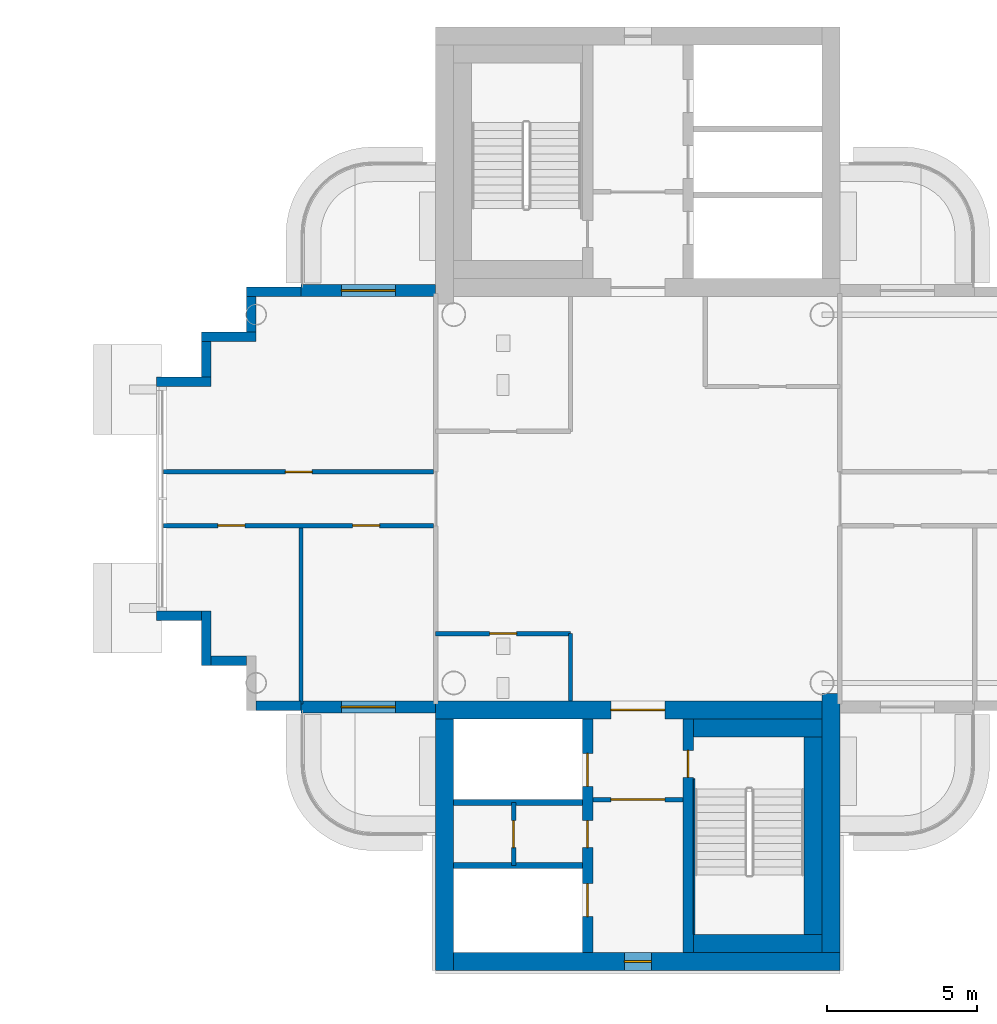
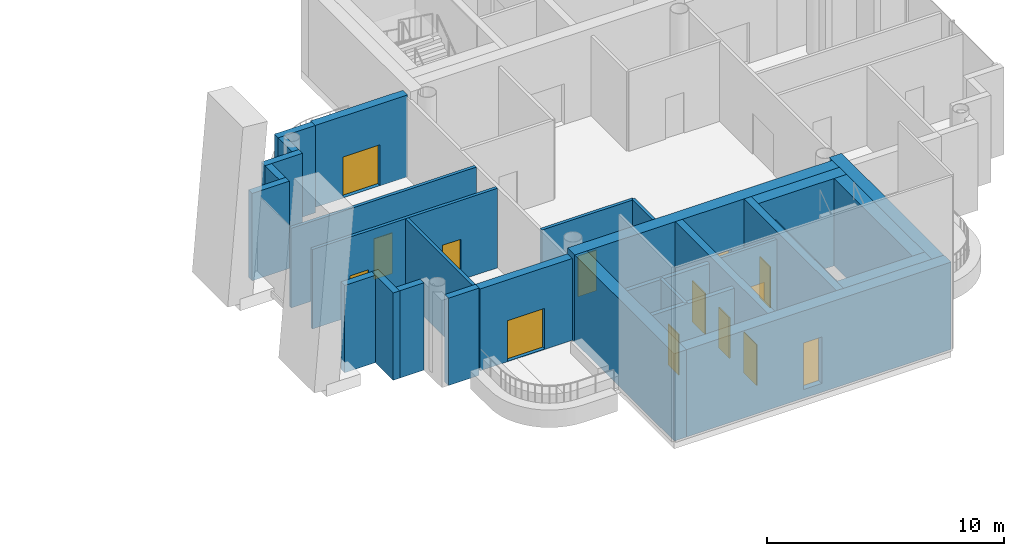
# One storey, part 9 of 19: 30 walls, 13 doors, 1 window, 14 openings.
"""IFC4 building model written with IfcOpenShell, lengths in metres."""

from ifc_helpers import new_model, si_unit, direction, frame, frame_2d, origin, place, context, subcontext, project, spatial, rectangle, extrude, material, layer, layer_set, type_object, element, fill, save


model = new_model("IFC4")

# Units and contexts
model_context = context("Model", 3, precision=1e-05, world=origin(), true_north=direction((0.0, 1.0)))
body_context = subcontext(model_context, "Body", "Model", "MODEL_VIEW")
ifc_project = project(units=[si_unit("LENGTHUNIT", "METRE"), si_unit("AREAUNIT", "SQUARE_METRE"), si_unit("VOLUMEUNIT", "CUBIC_METRE"), si_unit("PLANEANGLEUNIT", "RADIAN"), si_unit("MASSUNIT", "GRAM", prefix="KILO")], contexts=[model_context])

# Site, building, storey
site_placement = place(None, origin())
site = spatial("IfcSite", under=ifc_project, at=site_placement, CompositionType="ELEMENT")
building_placement = place(site_placement, origin())
building = spatial("IfcBuilding", under=site, at=building_placement, Name="Ipe Terrace Towers", CompositionType="ELEMENT")
storey_placement = place(building_placement, frame((0.0, 0.0, 237.89990234375)))
storey = spatial("IfcBuildingStorey", under=building, at=storey_placement, Name="L66", CompositionType="ELEMENT", Elevation=237.89990234375)

# Wall, opening, door
ifc_material_1 = material(Name="Concrete C40/50 with buff precast cladding", Category="concrete")
ifc_layer_1 = layer(ifc_material_1, 0.39990234375)
ifc_layer_set_1 = layer_set([ifc_layer_1], Name="BALCONY BAY WALL 400")
wall_type_1 = type_object("IfcWallType", Name="BALCONY BAY WALL 400", PredefinedType="STANDARD", material=ifc_layer_set_1)
wall_1_placement = place(storey_placement, frame((29.25, 6.949951171875, -0.02001953125), z_axis=(0.0, 0.0, 1.0), x_axis=(-1.0, 0.0, 0.0)))
wall_1 = element("IfcWall", 1, at=wall_1_placement, inside=storey, type_object=wall_type_1, Name="T2-W-L66-20a wall", PredefinedType="STANDARD", context=body_context, shape_type="SweptSolid", body=[
    extrude(rectangle(XDim=4.5, YDim=0.39990234375, at=frame_2d((2.25, 0.0))), origin(), (0.0, 0.0, 1.0), 4.22021484375),
])
opening_1_placement = place(wall_1_placement, frame((1.35009765625, 0.0, 0.02001953125)))
opening_1 = element("IfcOpeningElement", 2, at=opening_1_placement, cuts=wall_1, Name="Opening T2-D-L66-20", PredefinedType="OPENING", context=body_context, shape_type="SweptSolid", body=[
    extrude(rectangle(XDim=1.800048828125, YDim=2.10009765625, at=frame_2d((0.89990234375, 1.050048828125))), frame((0.0, 0.2099609375, 0.0), z_axis=(0.0, -1.0, 0.0), x_axis=(1.0, 0.0, 0.0)), (0.0, 0.0, 1.0), 0.419921875),
])
ifc_material_2 = material(Name="Aluminium alloy 6063-T6 framed glazed door", Category="aluminium")
door_type_1 = type_object("IfcDoorType", Name="BALCONY DOOR 1800 x 2100 RIGHT", OperationType="SINGLE_SWING_RIGHT", PredefinedType="DOOR", material=ifc_material_2)
door_1_placement = place(opening_1_placement, origin())
door_1 = element("IfcDoor", 3, at=door_1_placement, inside=storey, type_object=door_type_1, Name="DB2 door", OperationType="SINGLE_SWING_RIGHT", OverallHeight=2.10009765625, OverallWidth=1.800048828125, PredefinedType="DOOR", context=body_context, shape_type="SweptSolid", body=[
    extrude(rectangle(XDim=1.800048828125, YDim=2.10009765625, at=frame_2d((0.89990234375, 1.050048828125))), frame((0.0, 0.02490234375, 0.0), z_axis=(0.0, -1.0, 0.0), x_axis=(1.0, 0.0, 0.0)), (0.0, 0.0, 1.0), 0.050048828125),
])
fill(opening_1, door_1)

wall_2_placement = place(storey_placement, frame((24.75, -6.949951171875, -0.02001953125), z_axis=(0.0, 0.0, 1.0), x_axis=(1.0, 0.0, 0.0)))
wall_2 = element("IfcWall", 4, at=wall_2_placement, inside=storey, type_object=wall_type_1, Name="T2-W-L66-32a wall", PredefinedType="STANDARD", context=body_context, shape_type="SweptSolid", body=[
    extrude(rectangle(XDim=4.5, YDim=0.39990234375, at=frame_2d((2.25, 0.0))), origin(), (0.0, 0.0, 1.0), 4.22021484375),
])
opening_2_placement = place(wall_2_placement, frame((1.35009765625, 0.0, 0.02001953125)))
opening_2 = element("IfcOpeningElement", 5, at=opening_2_placement, cuts=wall_2, Name="Opening T2-D-L66-32", PredefinedType="OPENING", context=body_context, shape_type="SweptSolid", body=[
    extrude(rectangle(XDim=1.800048828125, YDim=2.10009765625, at=frame_2d((0.89990234375, 1.050048828125))), frame((0.0, 0.2099609375, 0.0), z_axis=(0.0, -1.0, 0.0), x_axis=(1.0, 0.0, 0.0)), (0.0, 0.0, 1.0), 0.419921875),
])
door_2_placement = place(opening_2_placement, origin())
door_2 = element("IfcDoor", 6, at=door_2_placement, inside=storey, type_object=door_type_1, Name="DB2 door", OperationType="SINGLE_SWING_RIGHT", OverallHeight=2.10009765625, OverallWidth=1.800048828125, PredefinedType="DOOR", context=body_context, shape_type="SweptSolid", body=[
    extrude(rectangle(XDim=1.800048828125, YDim=2.10009765625, at=frame_2d((0.89990234375, 1.050048828125))), frame((0.0, 0.02490234375, 0.0), z_axis=(0.0, -1.0, 0.0), x_axis=(1.0, 0.0, 0.0)), (0.0, 0.0, 1.0), 0.050048828125),
])
fill(opening_2, door_2)

# Walls
ifc_material_3 = material(Name="Concrete C40/50 with buff precast cladding", Category="concrete")
ifc_layer_2 = layer(ifc_material_3, 0.320068359375)
ifc_layer_set_2 = layer_set([ifc_layer_2], Name="BUFF CLADDING WALL 320")
wall_type_2 = type_object("IfcWallType", Name="BUFF CLADDING WALL 320", PredefinedType="STANDARD", material=ifc_layer_set_2)
wall_3_placement = place(storey_placement, frame((24.75, 6.909912109375, -0.2998046875), z_axis=(0.0, 0.0, 1.0), x_axis=(-1.0, 0.0, 0.0)))
element("IfcWall", 7, at=wall_3_placement, inside=storey, type_object=wall_type_2, Name="T2-W-L66-21a wall", PredefinedType="STANDARD", context=body_context, shape_type="SweptSolid", body=[
    extrude(rectangle(XDim=1.820068359375, YDim=0.320068359375, at=frame_2d((0.91015625, 0.0))), origin(), (0.0, 0.0, 1.0), 4.5),
])
wall_4_placement = place(storey_placement, frame((23.090087890625, 6.75, -0.2998046875), z_axis=(0.0, 0.0, 1.0), x_axis=(0.0, -1.0, 0.0)))
element("IfcWall", 8, at=wall_4_placement, inside=storey, type_object=wall_type_2, Name="T2-W-L66-22a wall", PredefinedType="STANDARD", context=body_context, shape_type="SweptSolid", body=[
    extrude(rectangle(XDim=1.179931640625, YDim=0.320068359375, at=frame_2d((0.58984375, 0.0))), origin(), (0.0, 0.0, 1.0), 4.5),
])
wall_5_placement = place(storey_placement, frame((23.25, 5.409912109375, -0.2998046875), z_axis=(0.0, 0.0, 1.0), x_axis=(-1.0, 0.0, 0.0)))
element("IfcWall", 9, at=wall_5_placement, inside=storey, type_object=wall_type_2, Name="T2-W-L66-23a wall", PredefinedType="STANDARD", context=body_context, shape_type="SweptSolid", body=[
    extrude(rectangle(XDim=1.820068359375, YDim=0.320068359375, at=frame_2d((0.91015625, 0.0))), origin(), (0.0, 0.0, 1.0), 4.5),
])
wall_6_placement = place(storey_placement, frame((21.590087890625, 5.25, -0.2998046875), z_axis=(0.0, 0.0, 1.0), x_axis=(0.0, -1.0, 0.0)))
element("IfcWall", 10, at=wall_6_placement, inside=storey, type_object=wall_type_2, Name="T2-W-L66-24a wall", PredefinedType="STANDARD", context=body_context, shape_type="SweptSolid", body=[
    extrude(rectangle(XDim=1.179931640625, YDim=0.320068359375, at=frame_2d((0.58984375, 0.0))), origin(), (0.0, 0.0, 1.0), 4.5),
])
wall_7_placement = place(storey_placement, frame((21.75, 3.909912109375, -0.2998046875), z_axis=(0.0, 0.0, 1.0), x_axis=(-1.0, 0.0, 0.0)))
element("IfcWall", 11, at=wall_7_placement, inside=storey, type_object=wall_type_2, Name="T2-W-L66-25a wall", PredefinedType="STANDARD", context=body_context, shape_type="SweptSolid", body=[
    extrude(rectangle(XDim=1.820068359375, YDim=0.320068359375, at=frame_2d((0.91015625, 0.0))), origin(), (0.0, 0.0, 1.0), 4.5),
])
wall_8_placement = place(storey_placement, frame((19.929931640625, -3.909912109375, -0.2998046875), z_axis=(0.0, 0.0, 1.0), x_axis=(1.0, 0.0, 0.0)))
element("IfcWall", 12, at=wall_8_placement, inside=storey, type_object=wall_type_2, Name="T2-W-L66-27a wall", PredefinedType="STANDARD", context=body_context, shape_type="SweptSolid", body=[
    extrude(rectangle(XDim=1.5, YDim=0.320068359375, at=frame_2d((0.75, 0.0))), origin(), (0.0, 0.0, 1.0), 4.5),
])
wall_9_placement = place(storey_placement, frame((21.590087890625, -3.75, -0.2998046875), z_axis=(0.0, 0.0, 1.0), x_axis=(0.0, -1.0, 0.0)))
element("IfcWall", 13, at=wall_9_placement, inside=storey, type_object=wall_type_2, Name="T2-W-L66-28a wall", PredefinedType="STANDARD", context=body_context, shape_type="SweptSolid", body=[
    extrude(rectangle(XDim=1.820068359375, YDim=0.320068359375, at=frame_2d((0.91015625, 0.0))), origin(), (0.0, 0.0, 1.0), 4.5),
])
wall_10_placement = place(storey_placement, frame((21.75, -5.409912109375, -0.2998046875), z_axis=(0.0, 0.0, 1.0), x_axis=(1.0, 0.0, 0.0)))
element("IfcWall", 14, at=wall_10_placement, inside=storey, type_object=wall_type_2, Name="T2-W-L66-29a wall", PredefinedType="STANDARD", context=body_context, shape_type="SweptSolid", body=[
    extrude(rectangle(XDim=1.179931640625, YDim=0.320068359375, at=frame_2d((0.58984375, 0.0))), origin(), (0.0, 0.0, 1.0), 4.5),
])
wall_11_placement = place(storey_placement, frame((23.25, -6.909912109375, -0.2998046875), z_axis=(0.0, 0.0, 1.0), x_axis=(1.0, 0.0, 0.0)))
element("IfcWall", 15, at=wall_11_placement, inside=storey, type_object=wall_type_2, Name="T2-W-L66-31a wall", PredefinedType="STANDARD", context=body_context, shape_type="SweptSolid", body=[
    extrude(rectangle(XDim=1.5, YDim=0.320068359375, at=frame_2d((0.75, 0.0))), origin(), (0.0, 0.0, 1.0), 4.5),
])

# Wall, opening, door
ifc_material_4 = material(Name="Gypsum board partition", Category="plasterboard")
ifc_layer_3 = layer(ifc_material_4, 0.14990234375)
ifc_layer_set_3 = layer_set([ifc_layer_3], Name="Gypsum board partition 150 mm")
wall_type_3 = type_object("IfcWallType", Name="Gypsum board partition 150 mm", PredefinedType="PARTITIONING", material=ifc_layer_set_3)
wall_12_placement = place(storey_placement, frame((34.5, -10.050048828125, 0.0), z_axis=(0.0, 0.0, 1.0), x_axis=(1.0, 0.0, 0.0)))
wall_12 = element("IfcWall", 16, at=wall_12_placement, inside=storey, type_object=wall_type_3, Name="Gypsum board partition T2 L66 t2c2-lobby-wall", PredefinedType="PARTITIONING", context=body_context, shape_type="SweptSolid", body=[
    extrude(rectangle(XDim=3.0, YDim=0.14990234375, at=frame_2d((1.5, 0.0))), origin(), (0.0, 0.0, 1.0), 4.10009765625),
])
opening_3_placement = place(wall_12_placement, frame((0.60009765625, 0.0, 0.0)))
opening_3 = element("IfcOpeningElement", 17, at=opening_3_placement, cuts=wall_12, Name="Opening T2C2-VD", PredefinedType="OPENING", context=body_context, shape_type="SweptSolid", body=[
    extrude(rectangle(XDim=1.800048828125, YDim=2.10009765625, at=frame_2d((0.89990234375, 1.050048828125))), frame((0.0, 0.0849609375, 0.0), z_axis=(0.0, -1.0, 0.0), x_axis=(1.0, 0.0, 0.0)), (0.0, 0.0, 1.0), 0.169921875),
])
ifc_material_5 = material(Name="Fire-rated timber door leaf", Category="wood")
door_type_2 = type_object("IfcDoorType", Name="Lobby door 1800 x 2100 FD60", OperationType="NOTDEFINED", PredefinedType="DOOR", material=ifc_material_5)
door_3_placement = place(opening_3_placement, origin())
door_3 = element("IfcDoor", 18, at=door_3_placement, inside=storey, type_object=door_type_2, Name="Lobby door T2C2-VD", OperationType="SINGLE_SWING_LEFT", OverallHeight=2.10009765625, OverallWidth=1.800048828125, PredefinedType="DOOR", context=body_context, shape_type="SweptSolid", body=[
    extrude(rectangle(XDim=1.800048828125, YDim=2.10009765625, at=frame_2d((0.89990234375, 1.050048828125))), frame((0.0, 0.02490234375, 0.0), z_axis=(0.0, -1.0, 0.0), x_axis=(1.0, 0.0, 0.0)), (0.0, 0.0, 1.0), 0.050048828125),
])
fill(opening_3, door_3)

wall_13_placement = place(storey_placement, frame((31.85009765625, -10.14990234375, 0.0), z_axis=(0.0, 0.0, 1.0), x_axis=(0.0, -1.0, 0.0)))
wall_13 = element("IfcWall", 19, at=wall_13_placement, inside=storey, type_object=wall_type_3, Name="Gypsum board partition T2 L66 t2c2-q-back", PredefinedType="PARTITIONING", context=body_context, shape_type="SweptSolid", body=[
    extrude(rectangle(XDim=2.10009765625, YDim=0.14990234375, at=frame_2d((1.050048828125, 0.0))), origin(), (0.0, 0.0, 1.0), 4.10009765625),
])
opening_4_placement = place(wall_13_placement, frame((0.60009765625, 0.0, 0.0)))
opening_4 = element("IfcOpeningElement", 20, at=opening_4_placement, cuts=wall_13, Name="Opening T2C2-RB", PredefinedType="OPENING", context=body_context, shape_type="SweptSolid", body=[
    extrude(rectangle(XDim=0.89990234375, YDim=2.10009765625, at=frame_2d((0.449951171875, 1.050048828125))), frame((0.0, 0.0849609375, 0.0), z_axis=(0.0, -1.0, 0.0), x_axis=(1.0, 0.0, 0.0)), (0.0, 0.0, 1.0), 0.169921875),
])
ifc_material_6 = material(Name="Fire-rated timber door leaf", Category="wood")
door_type_3 = type_object("IfcDoorType", Name="Service door 900 x 2100 FD60", OperationType="NOTDEFINED", PredefinedType="DOOR", material=ifc_material_6)
door_4_placement = place(opening_4_placement, origin())
door_4 = element("IfcDoor", 21, at=door_4_placement, inside=storey, type_object=door_type_3, Name="Service door T2C2-RB", OperationType="SINGLE_SWING_LEFT", OverallHeight=2.10009765625, OverallWidth=0.89990234375, PredefinedType="DOOR", context=body_context, shape_type="SweptSolid", body=[
    extrude(rectangle(XDim=0.89990234375, YDim=2.10009765625, at=frame_2d((0.449951171875, 1.050048828125))), frame((0.0, 0.02490234375, 0.0), z_axis=(0.0, -1.0, 0.0), x_axis=(1.0, 0.0, 0.0)), (0.0, 0.0, 1.0), 0.050048828125),
])
fill(opening_4, door_4)

wall_14_placement = place(storey_placement, frame((33.75, -4.5, 0.0), z_axis=(0.0, 0.0, 1.0), x_axis=(-1.0, 0.0, 0.0)))
wall_14 = element("IfcWall", 22, at=wall_14_placement, inside=storey, type_object=wall_type_3, Name="Gypsum board partition T2 L66 sp-cnw-x", PredefinedType="PARTITIONING", context=body_context, shape_type="SweptSolid", body=[
    extrude(rectangle(XDim=4.5, YDim=0.14990234375, at=frame_2d((2.25, 0.0))), origin(), (0.0, 0.0, 1.0), 4.10009765625),
])
opening_5_placement = place(wall_14_placement, frame((1.800048828125, 0.0, 0.0)))
opening_5 = element("IfcOpeningElement", 23, at=opening_5_placement, cuts=wall_14, Name="Opening T2-SP-CNW", PredefinedType="OPENING", context=body_context, shape_type="SweptSolid", body=[
    extrude(rectangle(XDim=0.89990234375, YDim=2.10009765625, at=frame_2d((0.449951171875, 1.050048828125))), frame((0.0, 0.0849609375, 0.0), z_axis=(0.0, -1.0, 0.0), x_axis=(1.0, 0.0, 0.0)), (0.0, 0.0, 1.0), 0.169921875),
])
ifc_material_7 = material(Name="Timber door leaf", Category="wood")
door_type_4 = type_object("IfcDoorType", Name="Bathroom door 900 x 2100", OperationType="NOTDEFINED", PredefinedType="DOOR", material=ifc_material_7)
door_5_placement = place(opening_5_placement, origin())
door_5 = element("IfcDoor", 24, at=door_5_placement, inside=storey, type_object=door_type_4, Name="Bathroom door T2-SP-CNW", OperationType="SINGLE_SWING_LEFT", OverallHeight=2.10009765625, OverallWidth=0.89990234375, PredefinedType="DOOR", context=body_context, shape_type="SweptSolid", body=[
    extrude(rectangle(XDim=0.89990234375, YDim=2.10009765625, at=frame_2d((0.449951171875, 1.050048828125))), frame((0.0, 0.02490234375, 0.0), z_axis=(0.0, -1.0, 0.0), x_axis=(1.0, 0.0, 0.0)), (0.0, 0.0, 1.0), 0.050048828125),
])
fill(opening_5, door_5)

# Wall
wall_15_placement = place(storey_placement, frame((33.75, -6.75, 0.0), z_axis=(0.0, 0.0, 1.0), x_axis=(0.0, 1.0, 0.0)))
element("IfcWall", 25, at=wall_15_placement, inside=storey, type_object=wall_type_3, Name="Gypsum board partition T2 L66 sp-cnw-y", PredefinedType="PARTITIONING", context=body_context, shape_type="SweptSolid", body=[
    extrude(rectangle(XDim=2.25, YDim=0.14990234375, at=frame_2d((1.125, 0.0))), origin(), (0.0, 0.0, 1.0), 4.10009765625),
])

# Wall, opening, door
wall_16_placement = place(storey_placement, frame((29.175048828125, 0.89990234375, 0.0), z_axis=(0.0, 0.0, 1.0), x_axis=(-1.0, 0.0, 0.0)))
wall_16 = element("IfcWall", 26, at=wall_16_placement, inside=storey, type_object=wall_type_3, Name="Gypsum board partition T2 L66 sp-Sp-wp", PredefinedType="PARTITIONING", context=body_context, shape_type="SweptSolid", body=[
    extrude(rectangle(XDim=9.025146484375, YDim=0.14990234375, at=frame_2d((4.5126953125, 0.0))), origin(), (0.0, 0.0, 1.0), 4.10009765625),
])
opening_6_placement = place(wall_16_placement, frame((4.050048828125, 0.0, 0.0)))
opening_6 = element("IfcOpeningElement", 27, at=opening_6_placement, cuts=wall_16, Name="Opening T2-SP-PSp1", PredefinedType="OPENING", context=body_context, shape_type="SweptSolid", body=[
    extrude(rectangle(XDim=0.89990234375, YDim=2.10009765625, at=frame_2d((0.449951171875, 1.050048828125))), frame((0.0, 0.0849609375, 0.0), z_axis=(0.0, -1.0, 0.0), x_axis=(1.0, 0.0, 0.0)), (0.0, 0.0, 1.0), 0.169921875),
])
ifc_material_8 = material(Name="Fire-rated timber door leaf", Category="wood")
door_type_5 = type_object("IfcDoorType", Name="Lounge door 900 x 2100 FD30S", OperationType="NOTDEFINED", PredefinedType="DOOR", material=ifc_material_8)
door_6_placement = place(opening_6_placement, origin())
door_6 = element("IfcDoor", 28, at=door_6_placement, inside=storey, type_object=door_type_5, Name="Lounge door T2-SP-PSp1", OperationType="SINGLE_SWING_LEFT", OverallHeight=2.10009765625, OverallWidth=0.89990234375, PredefinedType="DOOR", context=body_context, shape_type="SweptSolid", body=[
    extrude(rectangle(XDim=0.89990234375, YDim=2.10009765625, at=frame_2d((0.449951171875, 1.050048828125))), frame((0.0, 0.02490234375, 0.0), z_axis=(0.0, -1.0, 0.0), x_axis=(1.0, 0.0, 0.0)), (0.0, 0.0, 1.0), 0.050048828125),
])
fill(opening_6, door_6)

# Wall, openings, doors
wall_17_placement = place(storey_placement, frame((29.175048828125, -0.89990234375, 0.0), z_axis=(0.0, 0.0, 1.0), x_axis=(-1.0, 0.0, 0.0)))
wall_17 = element("IfcWall", 29, at=wall_17_placement, inside=storey, type_object=wall_type_3, Name="Gypsum board partition T2 L66 sp-Sp-wm", PredefinedType="PARTITIONING", context=body_context, shape_type="SweptSolid", body=[
    extrude(rectangle(XDim=9.025146484375, YDim=0.14990234375, at=frame_2d((4.5126953125, 0.0))), origin(), (0.0, 0.0, 1.0), 4.10009765625),
])
opening_7_placement = place(wall_17_placement, frame((1.800048828125, 0.0, 0.0)))
opening_7 = element("IfcOpeningElement", 30, at=opening_7_placement, cuts=wall_17, Name="Opening T2-SP-MSp1", PredefinedType="OPENING", context=body_context, shape_type="SweptSolid", body=[
    extrude(rectangle(XDim=0.89990234375, YDim=2.10009765625, at=frame_2d((0.449951171875, 1.050048828125))), frame((0.0, 0.0849609375, 0.0), z_axis=(0.0, -1.0, 0.0), x_axis=(1.0, 0.0, 0.0)), (0.0, 0.0, 1.0), 0.169921875),
])
opening_8_placement = place(wall_17_placement, frame((6.300048828125, 0.0, 0.0)))
opening_8 = element("IfcOpeningElement", 31, at=opening_8_placement, cuts=wall_17, Name="Opening T2-SP-MSp2", PredefinedType="OPENING", context=body_context, shape_type="SweptSolid", body=[
    extrude(rectangle(XDim=0.89990234375, YDim=2.10009765625, at=frame_2d((0.449951171875, 1.050048828125))), frame((0.0, 0.0849609375, 0.0), z_axis=(0.0, -1.0, 0.0), x_axis=(1.0, 0.0, 0.0)), (0.0, 0.0, 1.0), 0.169921875),
])
door_7_placement = place(opening_7_placement, origin())
door_7 = element("IfcDoor", 32, at=door_7_placement, inside=storey, type_object=door_type_5, Name="Lounge door T2-SP-MSp1", OperationType="SINGLE_SWING_RIGHT", OverallHeight=2.10009765625, OverallWidth=0.89990234375, PredefinedType="DOOR", context=body_context, shape_type="SweptSolid", body=[
    extrude(rectangle(XDim=0.89990234375, YDim=2.10009765625, at=frame_2d((0.449951171875, 1.050048828125))), frame((0.0, 0.02490234375, 0.0), z_axis=(0.0, -1.0, 0.0), x_axis=(1.0, 0.0, 0.0)), (0.0, 0.0, 1.0), 0.050048828125),
])
fill(opening_7, door_7)
door_8_placement = place(opening_8_placement, origin())
door_8 = element("IfcDoor", 33, at=door_8_placement, inside=storey, type_object=door_type_5, Name="Lounge door T2-SP-MSp2", OperationType="SINGLE_SWING_LEFT", OverallHeight=2.10009765625, OverallWidth=0.89990234375, PredefinedType="DOOR", context=body_context, shape_type="SweptSolid", body=[
    extrude(rectangle(XDim=0.89990234375, YDim=2.10009765625, at=frame_2d((0.449951171875, 1.050048828125))), frame((0.0, 0.02490234375, 0.0), z_axis=(0.0, -1.0, 0.0), x_axis=(1.0, 0.0, 0.0)), (0.0, 0.0, 1.0), 0.050048828125),
])
fill(opening_8, door_8)

# Walls
wall_18_placement = place(storey_placement, frame((24.75, -0.97509765625, 0.0), z_axis=(0.0, 0.0, 1.0), x_axis=(0.0, -1.0, 0.0)))
element("IfcWall", 34, at=wall_18_placement, inside=storey, type_object=wall_type_3, Name="Gypsum board partition T2 L66 sp-Sp-dm1", PredefinedType="PARTITIONING", context=body_context, shape_type="SweptSolid", body=[
    extrude(rectangle(XDim=5.875, YDim=0.14990234375, at=frame_2d((2.9375, 0.0))), origin(), (0.0, 0.0, 1.0), 4.10009765625),
])
ifc_material_9 = material(Name="Gypsum board party wall", Category="plasterboard")
ifc_layer_4 = layer(ifc_material_9, 0.199951171875)
ifc_layer_set_4 = layer_set([ifc_layer_4], Name="Gypsum board party wall 200 mm")
wall_type_4 = type_object("IfcWallType", Name="Gypsum board party wall 200 mm", PredefinedType="SOLIDWALL", material=ifc_layer_set_4)
for number, where, z_axis, x_axis, name in (
    (35, (29.85009765625, -12.25, 0.0), (0.0, 0.0, 1.0), (1.0, 0.0, 0.0), "Gypsum board party wall T2 L66 t2c2-shaft-div2"),
    (36, (29.85009765625, -10.14990234375, 0.0), (0.0, 0.0, 1.0), (1.0, 0.0, 0.0), "Gypsum board party wall T2 L66 t2c2-shaft-div1"),
):
    element("IfcWall", number, at=place(storey_placement, frame(where, z_axis=z_axis, x_axis=x_axis)), inside=storey, type_object=wall_type_4, Name=name, PredefinedType="SOLIDWALL", context=body_context, shape_type="SweptSolid", body=[
        extrude(rectangle(XDim=4.2998046875, YDim=0.199951171875, at=frame_2d((2.14990234375, 0.0))), origin(), (0.0, 0.0, 1.0), 4.10009765625),
    ])

# Wall, openings, doors
ifc_material_10 = material(Name="Concrete C40/50", Category="concrete")
ifc_layer_5 = layer(ifc_material_10, 0.35009765625)
ifc_layer_set_5 = layer_set([ifc_layer_5], Name="RW350 CORE SPINE WALL 350 C40-50")
wall_type_5 = type_object("IfcWallType", Name="RW350 CORE SPINE WALL 350 C40-50", PredefinedType="SHEAR", material=ifc_layer_set_5)
wall_19_placement = place(storey_placement, frame((34.324951171875, -15.14990234375, 0.0), z_axis=(0.0, 0.0, 1.0), x_axis=(0.0, 1.0, 0.0)))
wall_19 = element("IfcWall", 37, at=wall_19_placement, inside=storey, type_object=wall_type_5, Name="Core spine wall T2-C2-Z4-SW1", PredefinedType="SHEAR", context=body_context, shape_type="SweptSolid", body=[
    extrude(rectangle(XDim=7.7998046875, YDim=0.35009765625, at=frame_2d((3.89990234375, 0.0))), origin(), (0.0, 0.0, 1.0), 4.5),
])
opening_9_placement = place(wall_19_placement, frame((5.550048828125, 0.0, 0.0)))
opening_9 = element("IfcOpeningElement", 38, at=opening_9_placement, cuts=wall_19, Name="Opening T2C2-LD1", PredefinedType="OPENING", context=body_context, shape_type="SweptSolid", body=[
    extrude(rectangle(XDim=1.10009765625, YDim=2.10009765625, at=frame_2d((0.550048828125, 1.050048828125))), frame((0.0, 0.18505859375, 0.0), z_axis=(0.0, -1.0, 0.0), x_axis=(1.0, 0.0, 0.0)), (0.0, 0.0, 1.0), 0.3701171875),
])
opening_10_placement = place(wall_19_placement, frame((1.199951171875, 0.0, 0.0)))
opening_10 = element("IfcOpeningElement", 39, at=opening_10_placement, cuts=wall_19, Name="Opening T2C2-LD3", PredefinedType="OPENING", context=body_context, shape_type="SweptSolid", body=[
    extrude(rectangle(XDim=1.10009765625, YDim=2.10009765625, at=frame_2d((0.550048828125, 1.050048828125))), frame((0.0, 0.18505859375, 0.0), z_axis=(0.0, -1.0, 0.0), x_axis=(1.0, 0.0, 0.0)), (0.0, 0.0, 1.0), 0.3701171875),
])
opening_11_placement = place(wall_19_placement, frame((3.5, 0.0, 0.0)))
opening_11 = element("IfcOpeningElement", 40, at=opening_11_placement, cuts=wall_19, Name="Opening T2C2-R1", PredefinedType="OPENING", context=body_context, shape_type="SweptSolid", body=[
    extrude(rectangle(XDim=0.89990234375, YDim=2.10009765625, at=frame_2d((0.449951171875, 1.050048828125))), frame((0.0, 0.18505859375, 0.0), z_axis=(0.0, -1.0, 0.0), x_axis=(1.0, 0.0, 0.0)), (0.0, 0.0, 1.0), 0.3701171875),
])
ifc_material_11 = material(Name="Fire-rated timber door leaf", Category="wood")
door_type_6 = type_object("IfcDoorType", Name="Sliding door 1100 x 2100 FD60", OperationType="SLIDING_TO_LEFT", PredefinedType="DOOR", material=ifc_material_11)
door_9_placement = place(opening_9_placement, origin())
door_9 = element("IfcDoor", 41, at=door_9_placement, inside=storey, type_object=door_type_6, Name="Sliding door T2C2-LD1", OperationType="SLIDING_TO_LEFT", OverallHeight=2.10009765625, OverallWidth=1.10009765625, PredefinedType="DOOR", context=body_context, shape_type="SweptSolid", body=[
    extrude(rectangle(XDim=1.10009765625, YDim=2.10009765625, at=frame_2d((0.550048828125, 1.050048828125))), frame((0.0, 0.02490234375, 0.0), z_axis=(0.0, -1.0, 0.0), x_axis=(1.0, 0.0, 0.0)), (0.0, 0.0, 1.0), 0.050048828125),
])
fill(opening_9, door_9)
door_10_placement = place(opening_10_placement, origin())
door_10 = element("IfcDoor", 42, at=door_10_placement, inside=storey, type_object=door_type_6, Name="Sliding door T2C2-LD3", OperationType="SLIDING_TO_LEFT", OverallHeight=2.10009765625, OverallWidth=1.10009765625, PredefinedType="DOOR", context=body_context, shape_type="SweptSolid", body=[
    extrude(rectangle(XDim=1.10009765625, YDim=2.10009765625, at=frame_2d((0.550048828125, 1.050048828125))), frame((0.0, 0.02490234375, 0.0), z_axis=(0.0, -1.0, 0.0), x_axis=(1.0, 0.0, 0.0)), (0.0, 0.0, 1.0), 0.050048828125),
])
fill(opening_10, door_10)
ifc_material_12 = material(Name="Timber door leaf", Category="wood")
door_type_7 = type_object("IfcDoorType", Name="Store door 900 x 2100", OperationType="NOTDEFINED", PredefinedType="DOOR", material=ifc_material_12)
door_11_placement = place(opening_11_placement, origin())
door_11 = element("IfcDoor", 43, at=door_11_placement, inside=storey, type_object=door_type_7, Name="Store door T2C2-R1", OperationType="SINGLE_SWING_LEFT", OverallHeight=2.10009765625, OverallWidth=0.89990234375, PredefinedType="DOOR", context=body_context, shape_type="SweptSolid", body=[
    extrude(rectangle(XDim=0.89990234375, YDim=2.10009765625, at=frame_2d((0.449951171875, 1.050048828125))), frame((0.0, 0.02490234375, 0.0), z_axis=(0.0, -1.0, 0.0), x_axis=(1.0, 0.0, 0.0)), (0.0, 0.0, 1.0), 0.050048828125),
])
fill(opening_11, door_11)

# Wall, opening, door
wall_20_placement = place(storey_placement, frame((37.675048828125, -15.14990234375, 0.0), z_axis=(0.0, 0.0, 1.0), x_axis=(0.0, 1.0, 0.0)))
wall_20 = element("IfcWall", 44, at=wall_20_placement, inside=storey, type_object=wall_type_5, Name="Core spine wall T2-C2-Z4-SW2", PredefinedType="SHEAR", context=body_context, shape_type="SweptSolid", body=[
    extrude(rectangle(XDim=7.7998046875, YDim=0.35009765625, at=frame_2d((3.89990234375, 0.0))), origin(), (0.0, 0.0, 1.0), 4.5),
])
opening_12_placement = place(wall_20_placement, frame((5.85009765625, 0.0, 0.0)))
opening_12 = element("IfcOpeningElement", 45, at=opening_12_placement, cuts=wall_20, Name="Opening T2C2-SD", PredefinedType="OPENING", context=body_context, shape_type="SweptSolid", body=[
    extrude(rectangle(XDim=0.89990234375, YDim=2.10009765625, at=frame_2d((0.449951171875, 1.050048828125))), frame((0.0, 0.18505859375, 0.0), z_axis=(0.0, -1.0, 0.0), x_axis=(1.0, 0.0, 0.0)), (0.0, 0.0, 1.0), 0.3701171875),
])
ifc_material_13 = material(Name="Fire-rated timber door leaf", Category="wood")
door_type_8 = type_object("IfcDoorType", Name="Stair door 900 x 2100 FD60", OperationType="NOTDEFINED", PredefinedType="DOOR", material=ifc_material_13)
door_12_placement = place(opening_12_placement, origin())
door_12 = element("IfcDoor", 46, at=door_12_placement, inside=storey, type_object=door_type_8, Name="Stair door T2C2-SD", OperationType="SINGLE_SWING_RIGHT", OverallHeight=2.10009765625, OverallWidth=0.89990234375, PredefinedType="DOOR", context=body_context, shape_type="SweptSolid", body=[
    extrude(rectangle(XDim=0.89990234375, YDim=2.10009765625, at=frame_2d((0.449951171875, 1.050048828125))), frame((0.0, 0.02490234375, 0.0), z_axis=(0.0, -1.0, 0.0), x_axis=(1.0, 0.0, 0.0)), (0.0, 0.0, 1.0), 0.050048828125),
])
fill(opening_12, door_12)

# Walls
ifc_material_14 = material(Name="Concrete C40/50", Category="concrete")
ifc_layer_6 = layer(ifc_material_14, 0.050048828125)
ifc_layer_set_6 = layer_set([ifc_layer_6], Name="RW50 CORE INFILL WALL 50 C40-50")
wall_type_6 = type_object("IfcWallType", Name="RW50 CORE INFILL WALL 50 C40-50", PredefinedType="SHEAR", material=ifc_layer_set_6)
wall_21_placement = place(storey_placement, frame((37.875, -9.35009765625, 0.0), z_axis=(0.0, 0.0, 1.0), x_axis=(0.0, -1.0, 0.0)))
element("IfcWall", 47, at=wall_21_placement, inside=storey, type_object=wall_type_6, Name="Core infill wall T2-C2-spine-b", PredefinedType="SHEAR", context=body_context, shape_type="SweptSolid", body=[
    extrude(rectangle(XDim=5.199951171875, YDim=0.050048828125, at=frame_2d((2.60009765625, 0.0))), origin(), (0.0, 0.0, 1.0), 4.5),
])
ifc_material_15 = material(Name="Concrete C40/50", Category="concrete")
ifc_layer_7 = layer(ifc_material_15, 0.60009765625)
ifc_layer_set_7 = layer_set([ifc_layer_7], Name="RW600 CORE INFILL WALL 600 C40-50")
wall_type_7 = type_object("IfcWallType", Name="RW600 CORE INFILL WALL 600 C40-50", PredefinedType="SHEAR", material=ifc_layer_set_7)
wall_22_placement = place(storey_placement, frame((37.85009765625, -14.85009765625, 0.0), z_axis=(0.0, 0.0, 1.0), x_axis=(1.0, 0.0, 0.0)))
element("IfcWall", 48, at=wall_22_placement, inside=storey, type_object=wall_type_7, Name="Core infill wall T2-C2-far", PredefinedType="SHEAR", context=body_context, shape_type="SweptSolid", body=[
    extrude(rectangle(XDim=4.2998046875, YDim=0.60009765625, at=frame_2d((2.14990234375, 0.0))), origin(), (0.0, 0.0, 1.0), 4.5),
])
wall_23_placement = place(storey_placement, frame((41.85009765625, -7.949951171875, 0.0), z_axis=(0.0, 0.0, 1.0), x_axis=(0.0, -1.0, 0.0)))
element("IfcWall", 49, at=wall_23_placement, inside=storey, type_object=wall_type_7, Name="Core infill wall T2-C2-back", PredefinedType="SHEAR", context=body_context, shape_type="SweptSolid", body=[
    extrude(rectangle(XDim=6.60009765625, YDim=0.60009765625, at=frame_2d((3.300048828125, 0.0))), origin(), (0.0, 0.0, 1.0), 4.5),
])
wall_24_placement = place(storey_placement, frame((37.85009765625, -7.64990234375, 0.0), z_axis=(0.0, 0.0, 1.0), x_axis=(1.0, 0.0, 0.0)))
element("IfcWall", 50, at=wall_24_placement, inside=storey, type_object=wall_type_7, Name="Core infill wall T2-C2-near", PredefinedType="SHEAR", context=body_context, shape_type="SweptSolid", body=[
    extrude(rectangle(XDim=4.2998046875, YDim=0.60009765625, at=frame_2d((2.14990234375, 0.0))), origin(), (0.0, 0.0, 1.0), 4.5),
])

# Wall, opening, window
ifc_material_16 = material(Name="Concrete C40/50", Category="concrete")
ifc_layer_8 = layer(ifc_material_16, 0.60009765625)
ifc_layer_set_8 = layer_set([ifc_layer_8], Name="RW600 CORE WALL 600 C40-50")
wall_type_8 = type_object("IfcWallType", Name="RW600 CORE WALL 600 C40-50", PredefinedType="SHEAR", material=ifc_layer_set_8)
wall_25_placement = place(storey_placement, frame((29.85009765625, -15.449951171875, 0.0), z_axis=(0.0, 0.0, 1.0), x_axis=(1.0, 0.0, 0.0)))
wall_25 = element("IfcWall", 51, at=wall_25_placement, inside=storey, type_object=wall_type_8, Name="Core wall T2-C2-Z4-W01", PredefinedType="SHEAR", context=body_context, shape_type="SweptSolid", body=[
    extrude(rectangle(XDim=12.89990234375, YDim=0.60009765625, at=frame_2d((6.449951171875, 0.0))), origin(), (0.0, 0.0, 1.0), 4.5),
])
opening_13_placement = place(wall_25_placement, frame((5.699951171875, 0.0, 0.449951171875)))
opening_13 = element("IfcOpeningElement", 52, at=opening_13_placement, cuts=wall_25, Name="Opening T2-C2-W-01-L66", PredefinedType="OPENING", context=body_context, shape_type="SweptSolid", body=[
    extrude(rectangle(XDim=0.89990234375, YDim=2.39990234375, at=frame_2d((0.449951171875, 1.199951171875))), frame((0.0, 0.31005859375, 0.0), z_axis=(0.0, -1.0, 0.0), x_axis=(1.0, 0.0, 0.0)), (0.0, 0.0, 1.0), 0.6201171875),
])
ifc_material_17 = material(Name="Fire-resistant glazing EI 60", Category="glass")
window_type = type_object("IfcWindowType", Name="CORRIDOR END SLOT WINDOW 900 x 2400 EI 60", PartitioningType="SINGLE_PANEL", PredefinedType="WINDOW", material=ifc_material_17)
window_placement = place(opening_13_placement, origin())
window = element("IfcWindow", 53, at=window_placement, inside=storey, type_object=window_type, Name="W-01 window", OverallHeight=2.39990234375, OverallWidth=0.89990234375, PartitioningType="SINGLE_PANEL", PredefinedType="WINDOW", context=body_context, shape_type="SweptSolid", body=[
    extrude(rectangle(XDim=0.89990234375, YDim=2.39990234375, at=frame_2d((0.449951171875, 1.199951171875))), frame((0.0, 0.030029296875, 0.0), z_axis=(0.0, -1.0, 0.0), x_axis=(1.0, 0.0, 0.0)), (0.0, 0.0, 1.0), 0.06005859375),
])
fill(opening_13, window)

# Wall
wall_26_placement = place(storey_placement, frame((42.449951171875, -15.14990234375, 0.0), z_axis=(0.0, 0.0, 1.0), x_axis=(0.0, 1.0, 0.0)))
element("IfcWall", 54, at=wall_26_placement, inside=storey, type_object=wall_type_8, Name="Core wall T2-C2-Z4-W02", PredefinedType="SHEAR", context=body_context, shape_type="SweptSolid", body=[
    extrude(rectangle(XDim=8.64794921875, YDim=0.60009765625, at=frame_2d((4.323974609375, 0.0))), origin(), (0.0, 0.0, 1.0), 4.5),
])

# Wall, opening, door
wall_27_placement = place(storey_placement, frame((42.14990234375, -7.050048828125, 0.0), z_axis=(0.0, 0.0, 1.0), x_axis=(-1.0, 0.0, 0.0)))
wall_27 = element("IfcWall", 55, at=wall_27_placement, inside=storey, type_object=wall_type_8, Name="Core wall T2-C2-Z4-W03", PredefinedType="SHEAR", context=body_context, shape_type="SweptSolid", body=[
    extrude(rectangle(XDim=12.89990234375, YDim=0.60009765625, at=frame_2d((6.449951171875, 0.0))), origin(), (0.0, 0.0, 1.0), 4.5),
])
opening_14_placement = place(wall_27_placement, frame((5.25, 0.0, 0.0)))
opening_14 = element("IfcOpeningElement", 56, at=opening_14_placement, cuts=wall_27, Name="Opening T2C2-ND", PredefinedType="OPENING", context=body_context, shape_type="SweptSolid", body=[
    extrude(rectangle(XDim=1.800048828125, YDim=2.10009765625, at=frame_2d((0.89990234375, 1.050048828125))), frame((0.0, 0.31005859375, 0.0), z_axis=(0.0, -1.0, 0.0), x_axis=(1.0, 0.0, 0.0)), (0.0, 0.0, 1.0), 0.6201171875),
])
ifc_material_18 = material(Name="Fire-rated timber door leaf", Category="wood")
door_type_9 = type_object("IfcDoorType", Name="Fire door 1800 x 2100 FD30S", OperationType="NOTDEFINED", PredefinedType="DOOR", material=ifc_material_18)
door_13_placement = place(opening_14_placement, origin())
door_13 = element("IfcDoor", 57, at=door_13_placement, inside=storey, type_object=door_type_9, Name="Fire door T2C2-ND", OperationType="SINGLE_SWING_LEFT", OverallHeight=2.10009765625, OverallWidth=1.800048828125, PredefinedType="DOOR", context=body_context, shape_type="SweptSolid", body=[
    extrude(rectangle(XDim=1.800048828125, YDim=2.10009765625, at=frame_2d((0.89990234375, 1.050048828125))), frame((0.0, 0.02490234375, 0.0), z_axis=(0.0, -1.0, 0.0), x_axis=(1.0, 0.0, 0.0)), (0.0, 0.0, 1.0), 0.050048828125),
])
fill(opening_14, door_13)

# Wall
wall_28_placement = place(storey_placement, frame((29.550048828125, -7.35009765625, 0.0), z_axis=(0.0, 0.0, 1.0), x_axis=(0.0, -1.0, 0.0)))
element("IfcWall", 58, at=wall_28_placement, inside=storey, type_object=wall_type_8, Name="Core wall T2-C2-Z4-W04", PredefinedType="SHEAR", context=body_context, shape_type="SweptSolid", body=[
    extrude(rectangle(XDim=8.39990234375, YDim=0.60009765625, at=frame_2d((4.199951171875, 0.0))), origin(), (0.0, 0.0, 1.0), 4.5),
])

save(model, "model.ifc")
